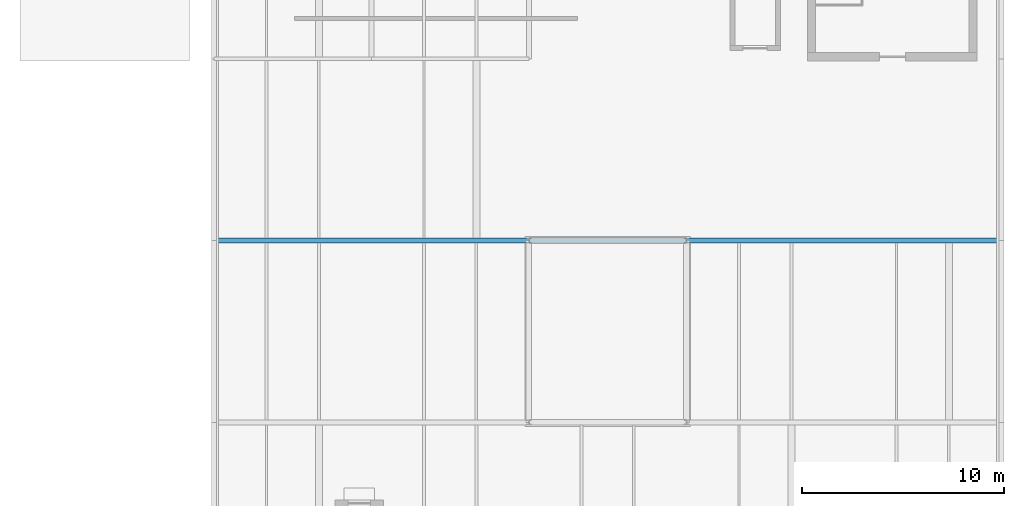
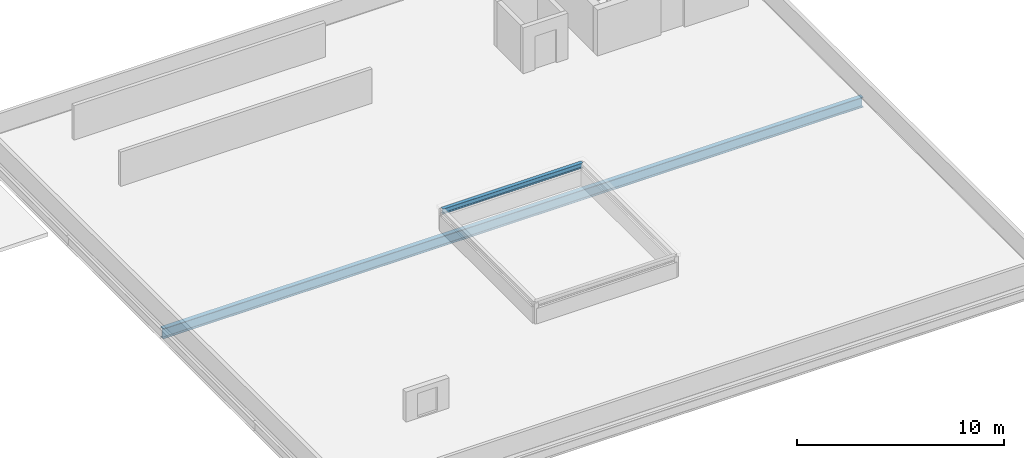
# One storey, part 6 of 9: 2 beams.
"""IFC4 building model written with IfcOpenShell, lengths in metres."""

import ifcopenshell
import ifcopenshell.guid

model = None  # the IFC model being written
_history = None  # IfcOwnerHistory: only IFC2X3 demands one
_inside = {}  # id of a spatial element -> (the spatial element, [elements in it])
_under = {}  # id of a project, library or spatial element -> (it, [spatial elements below it])
_declared = {}  # id of a project -> (the project, [libraries it declares])
_typed = {}  # id of a type object -> (the type object, [elements of that type])
_made_of = {}  # id of a material, layer set ... -> (it, [elements and type objects made of it])


def new_model(schema):
    """Start an empty IFC model of exactly this schema.

    Asked for "IFC4X3", IfcOpenShell would pick the latest addendum, in which some entities
    have other attributes; the version numbers below select the first issue.
    IFC2X3 requires an IfcOwnerHistory on every rooted entity: one is made here for all.
    """
    global model, _history
    if schema == "IFC4X3":
        model = ifcopenshell.file(schema_version=(4, 3, 0, 0))
    else:
        model = ifcopenshell.file(schema=schema)
    _inside.clear()
    _under.clear()
    _declared.clear()
    _typed.clear()
    _made_of.clear()
    _history = None
    if model.schema == "IFC2X3":
        org = make("IfcOrganization", Name="unknown")
        user = make(
            "IfcPersonAndOrganization",
            ThePerson=make("IfcPerson", FamilyName="unknown"),
            TheOrganization=org,
        )
        app = make(
            "IfcApplication",
            ApplicationDeveloper=org,
            Version="unknown",
            ApplicationFullName="unknown",
            ApplicationIdentifier="unknown",
        )
        _history = make(
            "IfcOwnerHistory",
            OwningUser=user,
            OwningApplication=app,
            ChangeAction="ADDED",
            CreationDate=0,
        )
    return model


def make(cls, **values):
    """One entity of the class cls with the attributes given. An attribute that is None is left unset."""
    return model.create_entity(
        cls, **{name: value for name, value in values.items() if value is not None}
    )


def rooted(cls, **values):
    """An entity with a GlobalId (a new one), such as an element, a storey or a relation."""
    return make(cls, GlobalId=ifcopenshell.guid.new(), OwnerHistory=_history, **values)


def si_unit(unit_type, name, prefix=None):
    """IfcSIUnit, for example si_unit("LENGTHUNIT", "METRE", prefix="MILLI")."""
    return make("IfcSIUnit", UnitType=unit_type, Prefix=prefix, Name=name)


def derived_unit(unit_type, elements):
    """IfcDerivedUnit: a product of units, each with its exponent."""
    return make(
        "IfcDerivedUnit",
        Elements=[
            make("IfcDerivedUnitElement", Unit=unit, Exponent=power)
            for unit, power in elements
        ],
        UnitType=unit_type,
    )


def assignment(units):
    """IfcUnitAssignment: the units of a project."""
    return None if units is None else make("IfcUnitAssignment", Units=units)


def point(xyz):
    """IfcCartesianPoint."""
    return None if xyz is None else make("IfcCartesianPoint", Coordinates=xyz)


def direction(xyz):
    """IfcDirection."""
    return None if xyz is None else make("IfcDirection", DirectionRatios=xyz)


def frame(location, z_axis=None, x_axis=None):
    """IfcAxis2Placement3D, a coordinate frame: its origin and axes. An axis left out is left unset."""
    return make(
        "IfcAxis2Placement3D",
        Location=point(location),
        Axis=direction(z_axis),
        RefDirection=direction(x_axis),
    )


def frame_2d(location, x_axis=None):
    """IfcAxis2Placement2D, a coordinate frame in the plane: its origin and x axis."""
    return make(
        "IfcAxis2Placement2D", Location=point(location), RefDirection=direction(x_axis)
    )


def origin():
    """The frame at (0, 0, 0) with its axes left unset."""
    return frame((0.0, 0.0, 0.0))


def origin_2d():
    """The frame at (0, 0) in the plane with its x axis left unset."""
    return frame_2d((0.0, 0.0))


def place(relative_to, where):
    """IfcLocalPlacement: puts the frame where relative to a parent placement (None: the world)."""
    return make(
        "IfcLocalPlacement", PlacementRelTo=relative_to, RelativePlacement=where
    )


def context(
    kind, dimensions, precision=None, world=None, true_north=None, identifier=None
):
    """IfcGeometricRepresentationContext, for example the 3D "Model" context."""
    return make(
        "IfcGeometricRepresentationContext",
        ContextIdentifier=identifier,
        ContextType=kind,
        CoordinateSpaceDimension=dimensions,
        Precision=precision,
        WorldCoordinateSystem=world,
        TrueNorth=true_north,
    )


def subcontext(parent, identifier, kind, view, scale=None):
    """IfcGeometricRepresentationSubContext, for example "Body" below "Model"."""
    return make(
        "IfcGeometricRepresentationSubContext",
        ContextIdentifier=identifier,
        ContextType=kind,
        ParentContext=parent,
        TargetScale=scale,
        TargetView=view,
    )


def project(units=None, contexts=None):
    """IfcProject with its units and contexts."""
    return rooted(
        "IfcProject",
        Name="project",
        RepresentationContexts=contexts,
        UnitsInContext=assignment(units),
    )


def spatial(cls, under=None, at=None, **own):
    """A site, building, storey or space (cls), placed at a placement, below another one or the project."""
    s = rooted(cls, ObjectPlacement=at, **own)
    if under is not None:
        _under.setdefault(under.id(), (under, []))[1].append(s)
    return s


def profile(cls, at=None, kind="AREA", **sizes):
    """A parametric profile (cls). Its sizes go by their IFC names, for example OverallWidth=200.0."""
    return make(cls, ProfileType=kind, Position=at, **sizes)


def i_section(**sizes):
    """IfcIShapeProfileDef."""
    return profile("IfcIShapeProfileDef", **sizes)


def extrude(swept, where, along, depth):
    """IfcExtrudedAreaSolid: the profile swept, set in the frame where, extruded along a direction by depth."""
    return make(
        "IfcExtrudedAreaSolid",
        SweptArea=swept,
        Position=where,
        ExtrudedDirection=direction(along),
        Depth=depth,
    )


def shape(context_of_items, identifier, shape_type, items):
    """IfcShapeRepresentation: the items that make up one representation, for example the "Body"."""
    return make(
        "IfcShapeRepresentation",
        ContextOfItems=context_of_items,
        RepresentationIdentifier=identifier,
        RepresentationType=shape_type,
        Items=items,
    )


def material(Name=None, Category=None):
    """IfcMaterial."""
    return make("IfcMaterial", Name=Name, Category=Category)


def material_profile(
    of_material, cross_section, Name=None, Category=None, Priority=None
):
    """IfcMaterialProfile: a cross section and its material."""
    return make(
        "IfcMaterialProfile",
        Name=Name,
        Material=of_material,
        Profile=cross_section,
        Priority=Priority,
        Category=Category,
    )


def profile_set(profiles, Name=None, composite=None):
    """IfcMaterialProfileSet."""
    return make(
        "IfcMaterialProfileSet",
        Name=Name,
        MaterialProfiles=profiles,
        CompositeProfile=composite,
    )


def made_of(thing, what):
    """Note that an element or type object is made of a material, layer set ...; save() writes the relation."""
    if what is not None:
        _made_of.setdefault(what.id(), (what, []))[1].append(thing)
    return thing


def type_object(cls, material=None, **own):
    """A type object (cls), such as IfcWallType, which elements share."""
    return made_of(rooted(cls, **own), material)


def element(
    cls,
    number,
    at=None,
    inside=None,
    cuts=None,
    type_object=None,
    material=None,
    context=None,
    identifier="Body",
    shape_type=None,
    held_by="IfcProductDefinitionShape",
    body=None,
    shapes=None,
    **own,
):
    """One element of the class cls, such as IfcWall. Its Tag is "e" and its number.

    at: its placement. inside: the storey or other place that contains it. cuts: it is an
    opening in that element (IfcRelVoidsElement). A single representation is given by context,
    identifier, shape_type and body (its items); several are given by shapes. held_by: the class
    of the entity that holds the representations. save() writes the other relations.
    """
    e = rooted(cls, Tag="e%d" % number, ObjectPlacement=at, **own)
    if body is not None:
        shapes = [shape(context, identifier, shape_type, body)]
    if shapes is not None:
        e.Representation = make(held_by, Representations=shapes)
    if inside is not None:
        _inside.setdefault(inside.id(), (inside, []))[1].append(e)
    if cuts is not None:
        rooted(
            "IfcRelVoidsElement", RelatingBuildingElement=cuts, RelatedOpeningElement=e
        )
    if type_object is not None:
        _typed.setdefault(type_object.id(), (type_object, []))[1].append(e)
    return made_of(e, material)


def aggregate(whole, parts):
    """IfcRelAggregates: a whole, such as a stair, and the parts it consists of."""
    return rooted("IfcRelAggregates", RelatingObject=whole, RelatedObjects=parts)


def save(model, path):
    """Write the relations noted so far, then the file.

    IfcRelAggregates (storeys below a building ...), IfcRelContainedInSpatialStructure (elements
    in a storey), IfcRelDefinesByType, IfcRelAssociatesMaterial and IfcRelDeclares: one each for
    every whole, place, type object, material and project.
    """
    for whole, parts in _under.values():
        aggregate(whole, parts)
    for where, things in _inside.values():
        rooted(
            "IfcRelContainedInSpatialStructure",
            RelatedElements=things,
            RelatingStructure=where,
        )
    for kind, things in _typed.values():
        rooted("IfcRelDefinesByType", RelatedObjects=things, RelatingType=kind)
    for what, things in _made_of.values():
        rooted("IfcRelAssociatesMaterial", RelatedObjects=things, RelatingMaterial=what)
    for by, libraries in _declared.values():
        rooted("IfcRelDeclares", RelatingContext=by, RelatedDefinitions=libraries)
    model.write(path)


model = new_model("IFC4")

# Units and contexts
model_context = context("Model", 3, precision=1e-05, world=origin(), true_north=direction((0.0, 1.0)))
body_context = subcontext(model_context, "Body", "Model", "MODEL_VIEW")
ifc_project = project(units=[si_unit("LENGTHUNIT", "METRE"), si_unit("AREAUNIT", "SQUARE_METRE"), si_unit("VOLUMEUNIT", "CUBIC_METRE"), si_unit("PLANEANGLEUNIT", "RADIAN"), si_unit("MASSUNIT", "GRAM", prefix="KILO"), derived_unit("THERMALTRANSMITTANCEUNIT", [(si_unit("POWERUNIT", "WATT"), 1), (si_unit("LENGTHUNIT", "METRE"), -2), (si_unit("THERMODYNAMICTEMPERATUREUNIT", "KELVIN"), -1)])], contexts=[model_context])

# Site, building, storey
site_placement = place(None, origin())
site = spatial("IfcSite", under=ifc_project, at=site_placement, CompositionType="ELEMENT")
building_placement = place(site_placement, origin())
building = spatial("IfcBuilding", under=site, at=building_placement, Name="Nallur Shell Playhouse", CompositionType="ELEMENT")
storey_placement = place(building_placement, frame((0.0, 0.0, 31.199951171875)))
storey = spatial("IfcBuildingStorey", under=building, at=storey_placement, Name="RF2", CompositionType="ELEMENT", Elevation=31.199951171875)

# Beams
ifc_material_1 = material(Name="Steel E250", Category="steel")
ifc_material_profile_1 = material_profile(ifc_material_1, i_section(OverallWidth=0.199951171875, OverallDepth=0.300048828125, WebThickness=0.00732421875, FlangeThickness=0.010009765625, FilletRadius=0.010986328125, at=origin_2d()), Name="ISWB 300")
ifc_profile_set_1 = profile_set([ifc_material_profile_1], Name="Steel E250")
beam_type_1 = type_object("IfcBeamType", Name="BM-ST-ISWB300", PredefinedType="BEAM", material=ifc_profile_set_1)
beam_1_placement = place(storey_placement, frame((87.39990234375, 65.0, 1.199951171875), z_axis=(-1.0, 0.0, 0.0), x_axis=(0.0, -1.0, 0.0)))
element("IfcBeam", 1, at=beam_1_placement, inside=storey, type_object=beam_type_1, Name="Smoke lantern ring beam 3", PredefinedType="BEAM", context=body_context, shape_type="SweptSolid", body=[
    extrude(i_section(OverallWidth=0.199951171875, OverallDepth=0.300048828125, WebThickness=0.00732421875, FlangeThickness=0.010009765625, FilletRadius=0.010986328125, at=origin_2d()), origin(), (0.0, 0.0, 1.0), 7.7998046875),
])
ifc_material_2 = material(Name="Steel E350", Category="steel")
ifc_material_profile_2 = material_profile(ifc_material_2, i_section(OverallWidth=0.25, OverallDepth=0.60009765625, WebThickness=0.01171875, FlangeThickness=0.023681640625, FilletRadius=0.01708984375, at=origin_2d()), Name="ISWB 600")
ifc_profile_set_2 = profile_set([ifc_material_profile_2], Name="Steel E350")
beam_type_2 = type_object("IfcBeamType", Name="BM-ST-ISWB600", PredefinedType="BEAM", material=ifc_profile_set_2)
beam_2_placement = place(storey_placement, frame((64.0, 65.0, -0.52001953125), z_axis=(1.0, 0.0, 0.0), x_axis=(0.0, 1.0, 0.0)))
element("IfcBeam", 2, at=beam_2_placement, inside=storey, type_object=beam_type_2, Name="RF2 long-span hall girder Y=65.0-1276", PredefinedType="BEAM", context=body_context, shape_type="SweptSolid", body=[
    extrude(i_section(OverallWidth=0.25, OverallDepth=0.60009765625, WebThickness=0.01171875, FlangeThickness=0.023681640625, FilletRadius=0.01708984375, at=origin_2d()), origin(), (0.0, 0.0, 1.0), 39.0),
])

save(model, "model.ifc")
